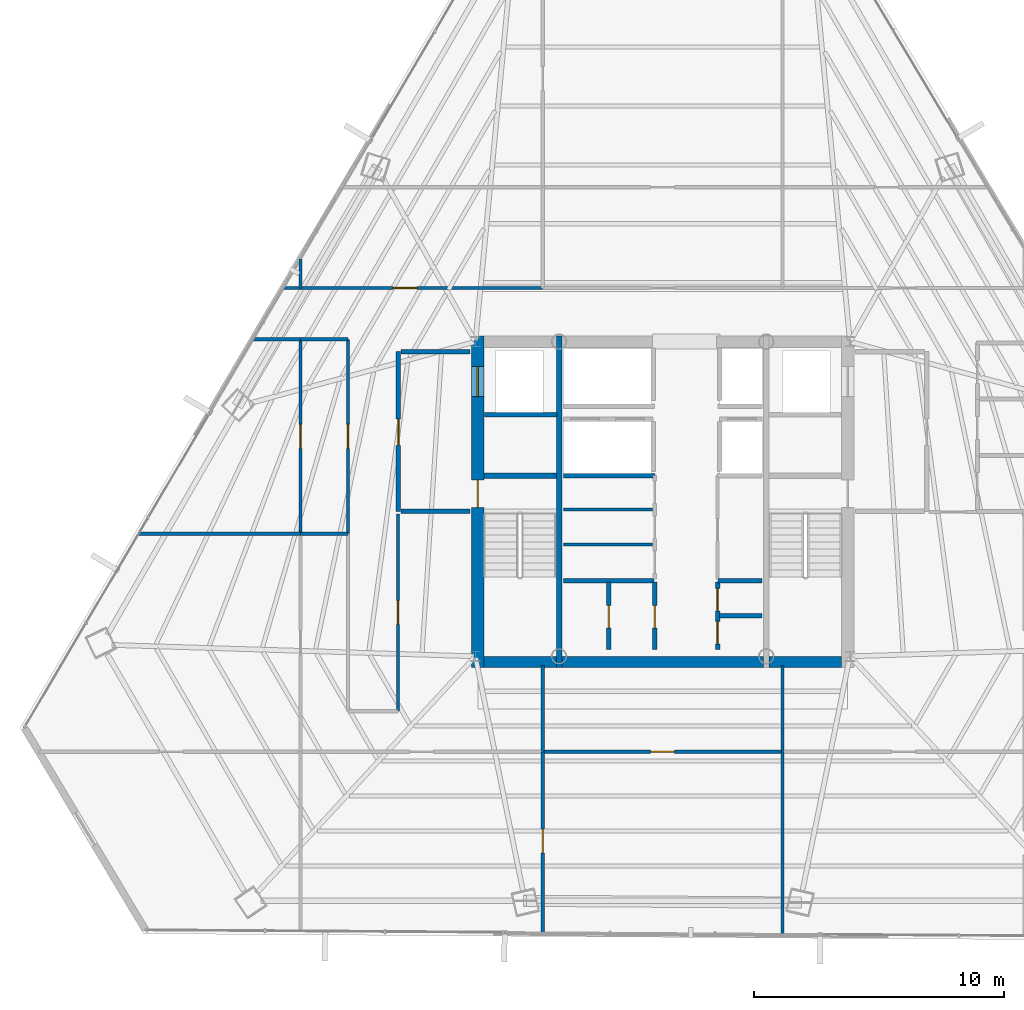
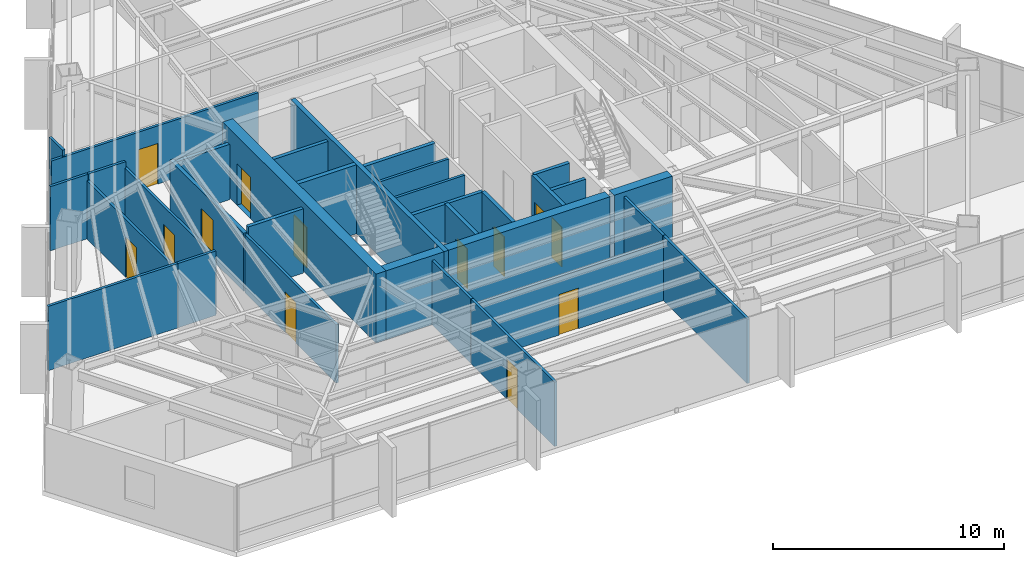
# One storey, part 35 of 41: 33 walls, 13 doors, 13 openings.
"""IFC4 building model written with IfcOpenShell, lengths in metres."""

from ifc_helpers import new_model, si_unit, direction, frame, frame_2d, origin, place, context, subcontext, project, spatial, rectangle, extrude, material, layer, layer_set, type_object, element, fill, save


model = new_model("IFC4")

# Units and contexts
model_context = context("Model", 3, precision=1e-05, world=origin(), true_north=direction((0.0, 1.0)))
body_context = subcontext(model_context, "Body", "Model", "MODEL_VIEW")
ifc_project = project(units=[si_unit("LENGTHUNIT", "METRE"), si_unit("AREAUNIT", "SQUARE_METRE"), si_unit("VOLUMEUNIT", "CUBIC_METRE"), si_unit("PLANEANGLEUNIT", "RADIAN"), si_unit("MASSUNIT", "GRAM", prefix="KILO")], contexts=[model_context])

# Site, building, storey
site_placement = place(None, origin())
site = spatial("IfcSite", under=ifc_project, at=site_placement, CompositionType="ELEMENT")
building_placement = place(site_placement, origin())
building = spatial("IfcBuilding", under=site, at=building_placement, Name="Caelisora Broadcast Tower", CompositionType="ELEMENT")
storey_placement = place(building_placement, frame((0.0, 0.0, 165.800048828125)))
storey = spatial("IfcBuildingStorey", under=building, at=storey_placement, Name="L43", CompositionType="ELEMENT", Elevation=165.800048828125)

# Wall, openings, doors
ifc_material_1 = material(Name="Concrete 50 MPa (AS 3600 S50)", Category="concrete")
ifc_layer_1 = layer(ifc_material_1, 0.5, Name="Concrete 50 MPa (AS 3600 S50)")
ifc_layer_set_1 = layer_set([ifc_layer_1], Name="Concrete 50 MPa (AS 3600 S50)")
wall_type_1 = type_object("IfcWallType", Name="CW2", PredefinedType="SHEAR", material=ifc_layer_set_1)
wall_1_placement = place(storey_placement, frame((30.590087890625, 16.949951171875, 0.0), z_axis=(0.0, 0.0, 1.0), x_axis=(0.0, 1.0, 0.0)))
wall_1 = element("IfcWall", 1, at=wall_1_placement, inside=storey, type_object=wall_type_1, Name="L43 core shear wall CW2", PredefinedType="SHEAR", context=body_context, shape_type="SweptSolid", body=[
    extrude(rectangle(XDim=13.275146484375, YDim=0.5, at=frame_2d((6.6376953125, 0.0))), origin(), (0.0, 0.0, 1.0), 3.64990234375),
])
opening_1_placement = place(wall_1_placement, frame((6.39990234375, 0.0, 0.0)))
opening_1 = element("IfcOpeningElement", 2, at=opening_1_placement, cuts=wall_1, Name="Opening FD04", PredefinedType="OPENING", context=body_context, shape_type="SweptSolid", body=[
    extrude(rectangle(XDim=1.1201171875, YDim=2.14990234375, at=frame_2d((0.56005859375, 1.074951171875))), frame((0.0, 0.261962890625, 0.0), z_axis=(0.0, -1.0, 0.0), x_axis=(1.0, 0.0, 0.0)), (0.0, 0.0, 1.0), 0.52392578125),
])
opening_2_placement = place(wall_1_placement, frame((10.85009765625, 0.0, 0.0)))
opening_2 = element("IfcOpeningElement", 3, at=opening_2_placement, cuts=wall_1, Name="Opening LD04", PredefinedType="OPENING", context=body_context, shape_type="SweptSolid", body=[
    extrude(rectangle(XDim=1.199951171875, YDim=2.199951171875, at=frame_2d((0.60009765625, 1.10009765625))), frame((0.0, 0.261962890625, 0.0), z_axis=(0.0, -1.0, 0.0), x_axis=(1.0, 0.0, 0.0)), (0.0, 0.0, 1.0), 0.52392578125),
])
ifc_material_2 = material(Name="Pressurised Fire-Isolated Stair Door", Category="steel")
door_type_1 = type_object("IfcDoorType", Name="FD04", OperationType="NOTDEFINED", PredefinedType="DOOR", material=ifc_material_2)
door_1_placement = place(opening_1_placement, origin())
door_1 = element("IfcDoor", 4, at=door_1_placement, inside=storey, type_object=door_type_1, Name="L43 door FD04 (L43-DR-ST1)", OperationType="SINGLE_SWING_LEFT", OverallHeight=2.14990234375, OverallWidth=1.1201171875, PredefinedType="DOOR", context=body_context, shape_type="SweptSolid", body=[
    extrude(rectangle(XDim=1.1201171875, YDim=2.14990234375, at=frame_2d((0.56005859375, 1.074951171875))), frame((0.0, 0.02490234375, 0.0), z_axis=(0.0, -1.0, 0.0), x_axis=(1.0, 0.0, 0.0)), (0.0, 0.0, 1.0), 0.050048828125),
])
fill(opening_1, door_1)
ifc_material_3 = material(Name="Emergency Firefighting Lift Sliding Landing Door", Category="steel")
door_type_2 = type_object("IfcDoorType", Name="LD04", OperationType="NOTDEFINED", PredefinedType="DOOR", material=ifc_material_3)
door_2_placement = place(opening_2_placement, origin())
door_2 = element("IfcDoor", 5, at=door_2_placement, inside=storey, type_object=door_type_2, Name="L43 door LD04 (L43-LD-FFL1)", OperationType="SLIDING_TO_LEFT", OverallHeight=2.199951171875, OverallWidth=1.199951171875, PredefinedType="DOOR", context=body_context, shape_type="SweptSolid", body=[
    extrude(rectangle(XDim=1.199951171875, YDim=2.199951171875, at=frame_2d((0.60009765625, 1.10009765625))), frame((0.0, 0.02490234375, 0.0), z_axis=(0.0, -1.0, 0.0), x_axis=(1.0, 0.0, 0.0)), (0.0, 0.0, 1.0), 0.050048828125),
])
fill(opening_2, door_2)

# Walls
ifc_layer_2 = layer(ifc_material_1, 0.449951171875, Name="Concrete 50 MPa (AS 3600 S50)")
ifc_layer_set_2 = layer_set([ifc_layer_2], Name="Concrete 50 MPa (AS 3600 S50)")
wall_type_2 = type_object("IfcWallType", Name="CW5", PredefinedType="SHEAR", material=ifc_layer_set_2)
wall_2_placement = place(storey_placement, frame((30.840087890625, 17.175048828125, 0.0), z_axis=(0.0, 0.0, 1.0), x_axis=(1.0, 0.0, 0.0)))
element("IfcWall", 6, at=wall_2_placement, inside=storey, type_object=wall_type_2, Name="L43 core shear wall CW5", PredefinedType="SHEAR", context=body_context, shape_type="SweptSolid", body=[
    extrude(rectangle(XDim=2.89990234375, YDim=0.449951171875, at=frame_2d((1.449951171875, 0.0))), origin(), (0.0, 0.0, 1.0), 3.64990234375),
])
wall_3_placement = place(storey_placement, frame((33.9599609375, 17.175048828125, 0.0), z_axis=(0.0, 0.0, 1.0), x_axis=(1.0, 0.0, 0.0)))
element("IfcWall", 7, at=wall_3_placement, inside=storey, type_object=wall_type_2, Name="L43 core shear wall CW5", PredefinedType="SHEAR", context=body_context, shape_type="SweptSolid", body=[
    extrude(rectangle(XDim=8.080078125, YDim=0.449951171875, at=frame_2d((4.0400390625, 0.0))), origin(), (0.0, 0.0, 1.0), 3.64990234375),
])
wall_4_placement = place(storey_placement, frame((42.260009765625, 17.175048828125, 0.0), z_axis=(0.0, 0.0, 1.0), x_axis=(1.0, 0.0, 0.0)))
element("IfcWall", 8, at=wall_4_placement, inside=storey, type_object=wall_type_2, Name="L43 core shear wall CW5", PredefinedType="SHEAR", context=body_context, shape_type="SweptSolid", body=[
    extrude(rectangle(XDim=2.89990234375, YDim=0.449951171875, at=frame_2d((1.449951171875, 0.0))), origin(), (0.0, 0.0, 1.0), 3.64990234375),
])
ifc_layer_3 = layer(ifc_material_1, 0.219970703125, Name="Concrete 50 MPa (AS 3600 S50)")
ifc_layer_set_3 = layer_set([ifc_layer_3], Name="Concrete 50 MPa (AS 3600 S50)")
wall_type_3 = type_object("IfcWallType", Name="CW7", PredefinedType="SHEAR", material=ifc_layer_set_3)
wall_5_placement = place(storey_placement, frame((33.85009765625, 16.949951171875, 0.0), z_axis=(0.0, 0.0, 1.0), x_axis=(0.0, 1.0, 0.0)))
element("IfcWall", 9, at=wall_5_placement, inside=storey, type_object=wall_type_3, Name="L43 core shear wall CW7", PredefinedType="SHEAR", context=body_context, shape_type="SweptSolid", body=[
    extrude(rectangle(XDim=13.275146484375, YDim=0.219970703125, at=frame_2d((6.6376953125, 0.0))), origin(), (0.0, 0.0, 1.0), 3.64990234375),
])
wall_6_placement = place(storey_placement, frame((30.840087890625, 24.639892578125, 0.0), z_axis=(0.0, 0.0, 1.0), x_axis=(1.0, 0.0, 0.0)))
element("IfcWall", 10, at=wall_6_placement, inside=storey, type_object=wall_type_3, Name="L43 core shear wall CW7", PredefinedType="SHEAR", context=body_context, shape_type="SweptSolid", body=[
    extrude(rectangle(XDim=2.89990234375, YDim=0.219970703125, at=frame_2d((1.449951171875, 0.0))), origin(), (0.0, 0.0, 1.0), 3.64990234375),
])
ifc_material_4 = material(Name="Fire-Rated Gypsum Shaft and Compartment Wall", Category="gypsum")
ifc_layer_4 = layer(ifc_material_4, 0.179931640625, Name="Fire-Rated Gypsum Shaft and Compartment Wall")
ifc_layer_set_4 = layer_set([ifc_layer_4], Name="Fire-Rated Gypsum Shaft and Compartment Wall")
wall_type_4 = type_object("IfcWallType", Name="PW2", PredefinedType="PARTITIONING", material=ifc_layer_set_4)
wall_7_placement = place(storey_placement, frame((34.02001953125, 24.639892578125, 0.0), z_axis=(0.0, 0.0, 1.0), x_axis=(1.0, 0.0, 0.0)))
element("IfcWall", 11, at=wall_7_placement, inside=storey, type_object=wall_type_4, Name="L43 fire compartment wall PW2", PredefinedType="PARTITIONING", context=body_context, shape_type="SweptSolid", body=[
    extrude(rectangle(XDim=3.679931640625, YDim=0.179931640625, at=frame_2d((1.83984375, 0.0))), origin(), (0.0, 0.0, 1.0), 3.39990234375),
])

# Wall, opening, door
wall_8_placement = place(storey_placement, frame((27.419921875, 23.199951171875, 0.0), z_axis=(0.0, 0.0, 1.0), x_axis=(0.0, 1.0, 0.0)))
wall_8 = element("IfcWall", 12, at=wall_8_placement, inside=storey, type_object=wall_type_4, Name="L43 fire compartment wall PW2", PredefinedType="PARTITIONING", context=body_context, shape_type="SweptSolid", body=[
    extrude(rectangle(XDim=6.400146484375, YDim=0.179931640625, at=frame_2d((3.2001953125, 0.0))), origin(), (0.0, 0.0, 1.0), 3.07763671875),
])
opening_3_placement = place(wall_8_placement, frame((2.64990234375, 0.0, 0.0)))
opening_3 = element("IfcOpeningElement", 13, at=opening_3_placement, cuts=wall_8, Name="Opening FD02", PredefinedType="OPENING", context=body_context, shape_type="SweptSolid", body=[
    extrude(rectangle(XDim=1.050048828125, YDim=2.14990234375, at=frame_2d((0.52490234375, 1.074951171875))), frame((0.0, 0.10205078125, 0.0), z_axis=(0.0, -1.0, 0.0), x_axis=(1.0, 0.0, 0.0)), (0.0, 0.0, 1.0), 0.203857421875),
])
ifc_material_5 = material(Name="Single-Leaf Steel Fire Lobby Door", Category="steel")
door_type_3 = type_object("IfcDoorType", Name="FD02", OperationType="NOTDEFINED", PredefinedType="DOOR", material=ifc_material_5)
door_3_placement = place(opening_3_placement, origin())
door_3 = element("IfcDoor", 14, at=door_3_placement, inside=storey, type_object=door_type_3, Name="L43 door FD02 (L43-DR-P01D1)", OperationType="SINGLE_SWING_LEFT", OverallHeight=2.14990234375, OverallWidth=1.050048828125, PredefinedType="DOOR", context=body_context, shape_type="SweptSolid", body=[
    extrude(rectangle(XDim=1.050048828125, YDim=2.14990234375, at=frame_2d((0.52490234375, 1.074951171875))), frame((0.0, 0.02490234375, 0.0), z_axis=(0.0, -1.0, 0.0), x_axis=(1.0, 0.0, 0.0)), (0.0, 0.0, 1.0), 0.050048828125),
])
fill(opening_3, door_3)

# Walls
wall_9_placement = place(storey_placement, frame((27.52001953125, 23.199951171875, 0.0), z_axis=(0.0, 0.0, 1.0), x_axis=(1.0, 0.0, 0.0)))
element("IfcWall", 15, at=wall_9_placement, inside=storey, type_object=wall_type_4, Name="L43 fire compartment wall PW2", PredefinedType="PARTITIONING", context=body_context, shape_type="SweptSolid", body=[
    extrude(rectangle(XDim=2.760009765625, YDim=0.179931640625, at=frame_2d((1.3798828125, 0.0))), origin(), (0.0, 0.0, 1.0), 3.39990234375),
])
wall_10_placement = place(storey_placement, frame((27.52001953125, 29.60009765625, 0.0), z_axis=(0.0, 0.0, 1.0), x_axis=(1.0, 0.0, 0.0)))
element("IfcWall", 16, at=wall_10_placement, inside=storey, type_object=wall_type_4, Name="L43 fire compartment wall PW2", PredefinedType="PARTITIONING", context=body_context, shape_type="SweptSolid", body=[
    extrude(rectangle(XDim=2.760009765625, YDim=0.179931640625, at=frame_2d((1.3798828125, 0.0))), origin(), (0.0, 0.0, 1.0), 2.924560546875),
])
wall_11_placement = place(storey_placement, frame((30.860107421875, 27.070068359375, 0.0), z_axis=(0.0, 0.0, 1.0), x_axis=(1.0, 0.0, 0.0)))
element("IfcWall", 17, at=wall_11_placement, inside=storey, type_object=wall_type_4, Name="L43 fire compartment wall PW2", PredefinedType="PARTITIONING", context=body_context, shape_type="SweptSolid", body=[
    extrude(rectangle(XDim=2.89990234375, YDim=0.179931640625, at=frame_2d((1.449951171875, 0.0))), origin(), (0.0, 0.0, 1.0), 3.39990234375),
])
wall_12_placement = place(storey_placement, frame((34.02001953125, 20.419921875, 0.0), z_axis=(0.0, 0.0, 1.0), x_axis=(1.0, 0.0, 0.0)))
element("IfcWall", 18, at=wall_12_placement, inside=storey, type_object=wall_type_4, Name="L43 fire compartment wall PW2", PredefinedType="PARTITIONING", context=body_context, shape_type="SweptSolid", body=[
    extrude(rectangle(XDim=3.639892578125, YDim=0.179931640625, at=frame_2d((1.81982421875, 0.0))), origin(), (0.0, 0.0, 1.0), 3.39990234375),
])
wall_13_placement = place(storey_placement, frame((40.219970703125, 20.419921875, 0.0), z_axis=(0.0, 0.0, 1.0), x_axis=(1.0, 0.0, 0.0)))
element("IfcWall", 19, at=wall_13_placement, inside=storey, type_object=wall_type_4, Name="L43 fire compartment wall PW2", PredefinedType="PARTITIONING", context=body_context, shape_type="SweptSolid", body=[
    extrude(rectangle(XDim=1.760009765625, YDim=0.179931640625, at=frame_2d((0.8798828125, 0.0))), origin(), (0.0, 0.0, 1.0), 3.39990234375),
])

# Wall, opening, door
wall_14_placement = place(storey_placement, frame((35.840087890625, 17.679931640625, 0.0), z_axis=(0.0, 0.0, 1.0), x_axis=(0.0, 1.0, 0.0)))
wall_14 = element("IfcWall", 20, at=wall_14_placement, inside=storey, type_object=wall_type_4, Name="L43 fire compartment wall PW2", PredefinedType="PARTITIONING", context=body_context, shape_type="SweptSolid", body=[
    extrude(rectangle(XDim=2.699951171875, YDim=0.179931640625, at=frame_2d((1.35009765625, 0.0))), origin(), (0.0, 0.0, 1.0), 3.39990234375),
])
opening_4_placement = place(wall_14_placement, frame((0.85009765625, 0.0, 0.0)))
opening_4 = element("IfcOpeningElement", 21, at=opening_4_placement, cuts=wall_14, Name="Opening FD03", PredefinedType="OPENING", context=body_context, shape_type="SweptSolid", body=[
    extrude(rectangle(XDim=0.89990234375, YDim=2.10009765625, at=frame_2d((0.449951171875, 1.050048828125))), frame((0.0, 0.10205078125, 0.0), z_axis=(0.0, -1.0, 0.0), x_axis=(1.0, 0.0, 0.0)), (0.0, 0.0, 1.0), 0.203857421875),
])
ifc_material_6 = material(Name="Single-Leaf Steel Riser Fire Access Door", Category="steel")
door_type_4 = type_object("IfcDoorType", Name="FD03", OperationType="NOTDEFINED", PredefinedType="DOOR", material=ifc_material_6)
door_4_placement = place(opening_4_placement, origin())
door_4 = element("IfcDoor", 22, at=door_4_placement, inside=storey, type_object=door_type_4, Name="L43 door FD03 (L43-DR-P15D1)", OperationType="SINGLE_SWING_LEFT", OverallHeight=2.10009765625, OverallWidth=0.89990234375, PredefinedType="DOOR", context=body_context, shape_type="SweptSolid", body=[
    extrude(rectangle(XDim=0.89990234375, YDim=2.10009765625, at=frame_2d((0.449951171875, 1.050048828125))), frame((0.0, 0.02490234375, 0.0), z_axis=(0.0, -1.0, 0.0), x_axis=(1.0, 0.0, 0.0)), (0.0, 0.0, 1.0), 0.050048828125),
])
fill(opening_4, door_4)

wall_15_placement = place(storey_placement, frame((37.679931640625, 17.679931640625, 0.0), z_axis=(0.0, 0.0, 1.0), x_axis=(0.0, 1.0, 0.0)))
wall_15 = element("IfcWall", 23, at=wall_15_placement, inside=storey, type_object=wall_type_4, Name="L43 fire compartment wall PW2", PredefinedType="PARTITIONING", context=body_context, shape_type="SweptSolid", body=[
    extrude(rectangle(XDim=2.699951171875, YDim=0.179931640625, at=frame_2d((1.35009765625, 0.0))), origin(), (0.0, 0.0, 1.0), 3.39990234375),
])
opening_5_placement = place(wall_15_placement, frame((0.85009765625, 0.0, 0.0)))
opening_5 = element("IfcOpeningElement", 24, at=opening_5_placement, cuts=wall_15, Name="Opening FD03", PredefinedType="OPENING", context=body_context, shape_type="SweptSolid", body=[
    extrude(rectangle(XDim=0.89990234375, YDim=2.10009765625, at=frame_2d((0.449951171875, 1.050048828125))), frame((0.0, 0.10205078125, 0.0), z_axis=(0.0, -1.0, 0.0), x_axis=(1.0, 0.0, 0.0)), (0.0, 0.0, 1.0), 0.203857421875),
])
door_5_placement = place(opening_5_placement, origin())
door_5 = element("IfcDoor", 25, at=door_5_placement, inside=storey, type_object=door_type_4, Name="L43 door FD03 (L43-DR-P16D1)", OperationType="SINGLE_SWING_RIGHT", OverallHeight=2.10009765625, OverallWidth=0.89990234375, PredefinedType="DOOR", context=body_context, shape_type="SweptSolid", body=[
    extrude(rectangle(XDim=0.89990234375, YDim=2.10009765625, at=frame_2d((0.449951171875, 1.050048828125))), frame((0.0, 0.02490234375, 0.0), z_axis=(0.0, -1.0, 0.0), x_axis=(1.0, 0.0, 0.0)), (0.0, 0.0, 1.0), 0.050048828125),
])
fill(opening_5, door_5)

# Wall
wall_16_placement = place(storey_placement, frame((40.280029296875, 19.02001953125, 0.0), z_axis=(0.0, 0.0, 1.0), x_axis=(1.0, 0.0, 0.0)))
element("IfcWall", 26, at=wall_16_placement, inside=storey, type_object=wall_type_4, Name="L43 fire compartment wall PW2", PredefinedType="PARTITIONING", context=body_context, shape_type="SweptSolid", body=[
    extrude(rectangle(XDim=1.699951171875, YDim=0.179931640625, at=frame_2d((0.85009765625, 0.0))), origin(), (0.0, 0.0, 1.0), 3.39990234375),
])

# Wall, openings, doors
wall_17_placement = place(storey_placement, frame((40.199951171875, 17.679931640625, 0.0), z_axis=(0.0, 0.0, 1.0), x_axis=(0.0, 1.0, 0.0)))
wall_17 = element("IfcWall", 27, at=wall_17_placement, inside=storey, type_object=wall_type_4, Name="L43 fire compartment wall PW2", PredefinedType="PARTITIONING", context=body_context, shape_type="SweptSolid", body=[
    extrude(rectangle(XDim=2.699951171875, YDim=0.179931640625, at=frame_2d((1.35009765625, 0.0))), origin(), (0.0, 0.0, 1.0), 3.39990234375),
])
opening_6_placement = place(wall_17_placement, frame((0.219970703125, 0.0, 0.0)))
opening_6 = element("IfcOpeningElement", 28, at=opening_6_placement, cuts=wall_17, Name="Opening FD03", PredefinedType="OPENING", context=body_context, shape_type="SweptSolid", body=[
    extrude(rectangle(XDim=0.89990234375, YDim=2.10009765625, at=frame_2d((0.449951171875, 1.050048828125))), frame((0.0, 0.10205078125, 0.0), z_axis=(0.0, -1.0, 0.0), x_axis=(1.0, 0.0, 0.0)), (0.0, 0.0, 1.0), 0.203857421875),
])
opening_7_placement = place(wall_17_placement, frame((1.5400390625, 0.0, 0.0)))
opening_7 = element("IfcOpeningElement", 29, at=opening_7_placement, cuts=wall_17, Name="Opening FD03", PredefinedType="OPENING", context=body_context, shape_type="SweptSolid", body=[
    extrude(rectangle(XDim=0.89990234375, YDim=2.10009765625, at=frame_2d((0.449951171875, 1.050048828125))), frame((0.0, 0.10205078125, 0.0), z_axis=(0.0, -1.0, 0.0), x_axis=(1.0, 0.0, 0.0)), (0.0, 0.0, 1.0), 0.203857421875),
])
door_6_placement = place(opening_6_placement, origin())
door_6 = element("IfcDoor", 30, at=door_6_placement, inside=storey, type_object=door_type_4, Name="L43 door FD03 (L43-DR-P18D1)", OperationType="SINGLE_SWING_LEFT", OverallHeight=2.10009765625, OverallWidth=0.89990234375, PredefinedType="DOOR", context=body_context, shape_type="SweptSolid", body=[
    extrude(rectangle(XDim=0.89990234375, YDim=2.10009765625, at=frame_2d((0.449951171875, 1.050048828125))), frame((0.0, 0.02490234375, 0.0), z_axis=(0.0, -1.0, 0.0), x_axis=(1.0, 0.0, 0.0)), (0.0, 0.0, 1.0), 0.050048828125),
])
fill(opening_6, door_6)
door_7_placement = place(opening_7_placement, origin())
door_7 = element("IfcDoor", 31, at=door_7_placement, inside=storey, type_object=door_type_4, Name="L43 door FD03 (L43-DR-P18D2)", OperationType="SINGLE_SWING_RIGHT", OverallHeight=2.10009765625, OverallWidth=0.89990234375, PredefinedType="DOOR", context=body_context, shape_type="SweptSolid", body=[
    extrude(rectangle(XDim=0.89990234375, YDim=2.10009765625, at=frame_2d((0.449951171875, 1.050048828125))), frame((0.0, 0.02490234375, 0.0), z_axis=(0.0, -1.0, 0.0), x_axis=(1.0, 0.0, 0.0)), (0.0, 0.0, 1.0), 0.050048828125),
])
fill(opening_7, door_7)

# Walls
ifc_material_7 = material(Name="Acoustic Steel-Stud Plasterboard Partition", Category="gypsum")
ifc_layer_5 = layer(ifc_material_7, 0.1298828125, Name="Acoustic Steel-Stud Plasterboard Partition")
ifc_layer_set_5 = layer_set([ifc_layer_5], Name="Acoustic Steel-Stud Plasterboard Partition")
wall_type_5 = type_object("IfcWallType", Name="PW3", PredefinedType="PARTITIONING", material=ifc_layer_set_5)
for number, where, z_axis, x_axis, name in (
    (32, (34.02001953125, 21.8798828125, 0.0), (0.0, 0.0, 1.0), (1.0, 0.0, 0.0), "L43 internal partition PW3"),
    (33, (34.02001953125, 23.280029296875, 0.0), (0.0, 0.0, 1.0), (1.0, 0.0, 0.0), "L43 internal partition PW3"),
):
    element("IfcWall", number, at=place(storey_placement, frame(where, z_axis=z_axis, x_axis=x_axis)), inside=storey, type_object=wall_type_5, Name=name, PredefinedType="PARTITIONING", context=body_context, shape_type="SweptSolid", body=[
        extrude(rectangle(XDim=3.580078125, YDim=0.1298828125, at=frame_2d((1.7900390625, 0.0))), origin(), (0.0, 0.0, 1.0), 3.39990234375),
    ])

# Wall, opening, door
wall_18_placement = place(storey_placement, frame((22.841796875, 32.14990234375, 0.0), z_axis=(0.0, 0.0, 1.0), x_axis=(1.0, 0.0, 0.0)))
wall_18 = element("IfcWall", 34, at=wall_18_placement, inside=storey, type_object=wall_type_5, Name="L43 internal partition PW3", PredefinedType="PARTITIONING", context=body_context, shape_type="SweptSolid", body=[
    extrude(rectangle(XDim=10.353271484375, YDim=0.1298828125, at=frame_2d((5.1767578125, 0.0))), origin(), (0.0, 0.0, 1.0), 3.07763671875),
])
opening_8_placement = place(wall_18_placement, frame((4.364990234375, 0.0, 0.0)))
opening_8 = element("IfcOpeningElement", 35, at=opening_8_placement, cuts=wall_18, Name="Opening D01", PredefinedType="OPENING", context=body_context, shape_type="SweptSolid", body=[
    extrude(rectangle(XDim=0.9599609375, YDim=2.14990234375, at=frame_2d((0.47998046875, 1.074951171875))), frame((0.0, 0.076904296875, 0.0), z_axis=(0.0, -1.0, 0.0), x_axis=(1.0, 0.0, 0.0)), (0.0, 0.0, 1.0), 0.15380859375),
])
ifc_material_8 = material(Name="Solid-Core Timber Acoustic Office Door", Category="wood")
door_type_5 = type_object("IfcDoorType", Name="D01", OperationType="NOTDEFINED", PredefinedType="DOOR", material=ifc_material_8)
door_8_placement = place(opening_8_placement, origin())
door_8 = element("IfcDoor", 36, at=door_8_placement, inside=storey, type_object=door_type_5, Name="L43 door D01 (L43-DR-P34D1)", OperationType="SINGLE_SWING_LEFT", OverallHeight=2.14990234375, OverallWidth=0.9599609375, PredefinedType="DOOR", context=body_context, shape_type="SweptSolid", body=[
    extrude(rectangle(XDim=0.9599609375, YDim=2.14990234375, at=frame_2d((0.47998046875, 1.074951171875))), frame((0.0, 0.02490234375, 0.0), z_axis=(0.0, -1.0, 0.0), x_axis=(1.0, 0.0, 0.0)), (0.0, 0.0, 1.0), 0.050048828125),
])
fill(opening_8, door_8)

wall_19_placement = place(storey_placement, frame((33.205078125, 13.580078125, 0.0), z_axis=(0.0, 0.0, 1.0), x_axis=(1.0, 0.0, 0.0)))
wall_19 = element("IfcWall", 37, at=wall_19_placement, inside=storey, type_object=wall_type_5, Name="L43 internal partition PW3", PredefinedType="PARTITIONING", context=body_context, shape_type="SweptSolid", body=[
    extrude(rectangle(XDim=9.58984375, YDim=0.1298828125, at=frame_2d((4.794921875, 0.0))), origin(), (0.0, 0.0, 1.0), 3.07763671875),
])
opening_9_placement = place(wall_19_placement, frame((4.31494140625, 0.0, 0.0)))
opening_9 = element("IfcOpeningElement", 38, at=opening_9_placement, cuts=wall_19, Name="Opening D01", PredefinedType="OPENING", context=body_context, shape_type="SweptSolid", body=[
    extrude(rectangle(XDim=0.9599609375, YDim=2.14990234375, at=frame_2d((0.47998046875, 1.074951171875))), frame((0.0, 0.076904296875, 0.0), z_axis=(0.0, -1.0, 0.0), x_axis=(1.0, 0.0, 0.0)), (0.0, 0.0, 1.0), 0.15380859375),
])
door_9_placement = place(opening_9_placement, origin())
door_9 = element("IfcDoor", 39, at=door_9_placement, inside=storey, type_object=door_type_5, Name="L43 door D01 (L43-DR-P39D1)", OperationType="SINGLE_SWING_RIGHT", OverallHeight=2.14990234375, OverallWidth=0.9599609375, PredefinedType="DOOR", context=body_context, shape_type="SweptSolid", body=[
    extrude(rectangle(XDim=0.9599609375, YDim=2.14990234375, at=frame_2d((0.47998046875, 1.074951171875))), frame((0.0, 0.02490234375, 0.0), z_axis=(0.0, -1.0, 0.0), x_axis=(1.0, 0.0, 0.0)), (0.0, 0.0, 1.0), 0.050048828125),
])
fill(opening_9, door_9)

wall_20_placement = place(storey_placement, frame((27.39990234375, 15.205078125, 0.0), z_axis=(0.0, 0.0, 1.0), x_axis=(0.0, 1.0, 0.0)))
wall_20 = element("IfcWall", 40, at=wall_20_placement, inside=storey, type_object=wall_type_5, Name="L43 internal partition PW3", PredefinedType="PARTITIONING", context=body_context, shape_type="SweptSolid", body=[
    extrude(rectangle(XDim=7.89990234375, YDim=0.1298828125, at=frame_2d((3.949951171875, 0.0))), origin(), (0.0, 0.0, 1.0), 3.07763671875),
])
opening_10_placement = place(wall_20_placement, frame((3.469970703125, 0.0, 0.0)))
opening_10 = element("IfcOpeningElement", 41, at=opening_10_placement, cuts=wall_20, Name="Opening D01", PredefinedType="OPENING", context=body_context, shape_type="SweptSolid", body=[
    extrude(rectangle(XDim=0.9599609375, YDim=2.14990234375, at=frame_2d((0.47998046875, 1.074951171875))), frame((0.0, 0.076904296875, 0.0), z_axis=(0.0, -1.0, 0.0), x_axis=(1.0, 0.0, 0.0)), (0.0, 0.0, 1.0), 0.15380859375),
])
door_10_placement = place(opening_10_placement, origin())
door_10 = element("IfcDoor", 42, at=door_10_placement, inside=storey, type_object=door_type_5, Name="L43 door D01 (L43-DR-P49D1)", OperationType="SINGLE_SWING_LEFT", OverallHeight=2.14990234375, OverallWidth=0.9599609375, PredefinedType="DOOR", context=body_context, shape_type="SweptSolid", body=[
    extrude(rectangle(XDim=0.9599609375, YDim=2.14990234375, at=frame_2d((0.47998046875, 1.074951171875))), frame((0.0, 0.02490234375, 0.0), z_axis=(0.0, -1.0, 0.0), x_axis=(1.0, 0.0, 0.0)), (0.0, 0.0, 1.0), 0.050048828125),
])
fill(opening_10, door_10)

wall_21_placement = place(storey_placement, frame((25.39990234375, 30.094970703125, 0.0), z_axis=(0.0, 0.0, 1.0), x_axis=(0.0, -1.0, 0.0)))
wall_21 = element("IfcWall", 43, at=wall_21_placement, inside=storey, type_object=wall_type_5, Name="L43 internal partition PW3", PredefinedType="PARTITIONING", context=body_context, shape_type="SweptSolid", body=[
    extrude(rectangle(XDim=7.780029296875, YDim=0.1298828125, at=frame_2d((3.89013671875, 0.0))), origin(), (0.0, 0.0, 1.0), 3.07763671875),
])
opening_11_placement = place(wall_21_placement, frame((3.409912109375, 0.0, 0.0)))
opening_11 = element("IfcOpeningElement", 44, at=opening_11_placement, cuts=wall_21, Name="Opening D01", PredefinedType="OPENING", context=body_context, shape_type="SweptSolid", body=[
    extrude(rectangle(XDim=0.9599609375, YDim=2.14990234375, at=frame_2d((0.47998046875, 1.074951171875))), frame((0.0, 0.076904296875, 0.0), z_axis=(0.0, -1.0, 0.0), x_axis=(1.0, 0.0, 0.0)), (0.0, 0.0, 1.0), 0.15380859375),
])
door_11_placement = place(opening_11_placement, origin())
door_11 = element("IfcDoor", 45, at=door_11_placement, inside=storey, type_object=door_type_5, Name="L43 door D01 (L43-DR-P50D1)", OperationType="SINGLE_SWING_RIGHT", OverallHeight=2.14990234375, OverallWidth=0.9599609375, PredefinedType="DOOR", context=body_context, shape_type="SweptSolid", body=[
    extrude(rectangle(XDim=0.9599609375, YDim=2.14990234375, at=frame_2d((0.47998046875, 1.074951171875))), frame((0.0, 0.02490234375, 0.0), z_axis=(0.0, -1.0, 0.0), x_axis=(1.0, 0.0, 0.0)), (0.0, 0.0, 1.0), 0.050048828125),
])
fill(opening_11, door_11)

wall_22_placement = place(storey_placement, frame((23.5, 22.31494140625, 0.0), z_axis=(0.0, 0.0, 1.0), x_axis=(0.0, 1.0, 0.0)))
wall_22 = element("IfcWall", 46, at=wall_22_placement, inside=storey, type_object=wall_type_5, Name="L43 internal partition PW3", PredefinedType="PARTITIONING", context=body_context, shape_type="SweptSolid", body=[
    extrude(rectangle(XDim=7.780029296875, YDim=0.1298828125, at=frame_2d((3.89013671875, 0.0))), origin(), (0.0, 0.0, 1.0), 3.07763671875),
])
opening_12_placement = place(wall_22_placement, frame((3.409912109375, 0.0, 0.0)))
opening_12 = element("IfcOpeningElement", 47, at=opening_12_placement, cuts=wall_22, Name="Opening D01", PredefinedType="OPENING", context=body_context, shape_type="SweptSolid", body=[
    extrude(rectangle(XDim=0.9599609375, YDim=2.14990234375, at=frame_2d((0.47998046875, 1.074951171875))), frame((0.0, 0.076904296875, 0.0), z_axis=(0.0, -1.0, 0.0), x_axis=(1.0, 0.0, 0.0)), (0.0, 0.0, 1.0), 0.15380859375),
])
door_12_placement = place(opening_12_placement, origin())
door_12 = element("IfcDoor", 48, at=door_12_placement, inside=storey, type_object=door_type_5, Name="L43 door D01 (L43-DR-P51D1)", OperationType="SINGLE_SWING_LEFT", OverallHeight=2.14990234375, OverallWidth=0.9599609375, PredefinedType="DOOR", context=body_context, shape_type="SweptSolid", body=[
    extrude(rectangle(XDim=0.9599609375, YDim=2.14990234375, at=frame_2d((0.47998046875, 1.074951171875))), frame((0.0, 0.02490234375, 0.0), z_axis=(0.0, -1.0, 0.0), x_axis=(1.0, 0.0, 0.0)), (0.0, 0.0, 1.0), 0.050048828125),
])
fill(opening_12, door_12)

# Wall
wall_23_placement = place(storey_placement, frame((42.800048828125, 6.265380859375, 0.0), z_axis=(0.0, 0.0, 1.0), x_axis=(0.0, 1.0, 0.0)))
element("IfcWall", 49, at=wall_23_placement, inside=storey, type_object=wall_type_5, Name="L43 internal partition PW3", PredefinedType="PARTITIONING", context=body_context, shape_type="SweptSolid", body=[
    extrude(rectangle(XDim=7.3095703125, YDim=0.1298828125, at=frame_2d((3.65478515625, 0.0))), origin(), (0.0, 0.0, 1.0), 3.39990234375),
])

# Wall, opening, door
wall_24_placement = place(storey_placement, frame((33.199951171875, 6.32861328125, 0.0), z_axis=(0.0, 0.0, 1.0), x_axis=(0.0, 1.0, 0.0)))
wall_24 = element("IfcWall", 50, at=wall_24_placement, inside=storey, type_object=wall_type_5, Name="L43 internal partition PW3", PredefinedType="PARTITIONING", context=body_context, shape_type="SweptSolid", body=[
    extrude(rectangle(XDim=7.246337890625, YDim=0.1298828125, at=frame_2d((3.623046875, 0.0))), origin(), (0.0, 0.0, 1.0), 3.39990234375),
])
opening_13_placement = place(wall_24_placement, frame((3.19189453125, 0.0, 0.0)))
opening_13 = element("IfcOpeningElement", 51, at=opening_13_placement, cuts=wall_24, Name="Opening D01", PredefinedType="OPENING", context=body_context, shape_type="SweptSolid", body=[
    extrude(rectangle(XDim=0.9599609375, YDim=2.14990234375, at=frame_2d((0.47998046875, 1.074951171875))), frame((0.0, 0.076904296875, 0.0), z_axis=(0.0, -1.0, 0.0), x_axis=(1.0, 0.0, 0.0)), (0.0, 0.0, 1.0), 0.15380859375),
])
door_13_placement = place(opening_13_placement, origin())
door_13 = element("IfcDoor", 52, at=door_13_placement, inside=storey, type_object=door_type_5, Name="L43 door D01 (L43-DR-P54D1)", OperationType="SINGLE_SWING_LEFT", OverallHeight=2.14990234375, OverallWidth=0.9599609375, PredefinedType="DOOR", context=body_context, shape_type="SweptSolid", body=[
    extrude(rectangle(XDim=0.9599609375, YDim=2.14990234375, at=frame_2d((0.47998046875, 1.074951171875))), frame((0.0, 0.02490234375, 0.0), z_axis=(0.0, -1.0, 0.0), x_axis=(1.0, 0.0, 0.0)), (0.0, 0.0, 1.0), 0.050048828125),
])
fill(opening_13, door_13)

# Walls
wall_25_placement = place(storey_placement, frame((17.01318359375, 22.31005859375, 0.0), z_axis=(0.0, 0.0, 1.0), x_axis=(1.0, 0.0, 0.0)))
element("IfcWall", 53, at=wall_25_placement, inside=storey, type_object=wall_type_5, Name="L43 internal partition PW3", PredefinedType="PARTITIONING", context=body_context, shape_type="SweptSolid", body=[
    extrude(rectangle(XDim=6.48193359375, YDim=0.1298828125, at=frame_2d((3.240966796875, 0.0))), origin(), (0.0, 0.0, 1.0), 3.39990234375),
])
for number, where, z_axis, x_axis, name in (
    (54, (33.199951171875, 13.5849609375, 0.0), (0.0, 0.0, 1.0), (0.0, 1.0, 0.0), "L43 internal partition PW3"),
    (55, (42.800048828125, 13.5849609375, 0.0), (0.0, 0.0, 1.0), (0.0, 1.0, 0.0), "L43 internal partition PW3"),
):
    element("IfcWall", number, at=place(storey_placement, frame(where, z_axis=z_axis, x_axis=x_axis)), inside=storey, type_object=wall_type_5, Name=name, PredefinedType="PARTITIONING", context=body_context, shape_type="SweptSolid", body=[
        extrude(rectangle(XDim=3.43994140625, YDim=0.1298828125, at=frame_2d((1.719970703125, 0.0))), origin(), (0.0, 0.0, 1.0), 3.39990234375),
    ])
wall_26_placement = place(storey_placement, frame((21.607177734375, 30.10009765625, 0.0), z_axis=(0.0, 0.0, 1.0), x_axis=(1.0, 0.0, 0.0)))
element("IfcWall", 56, at=wall_26_placement, inside=storey, type_object=wall_type_5, Name="L43 internal partition PW3", PredefinedType="PARTITIONING", context=body_context, shape_type="SweptSolid", body=[
    extrude(rectangle(XDim=1.887939453125, YDim=0.1298828125, at=frame_2d((0.94384765625, 0.0))), origin(), (0.0, 0.0, 1.0), 3.39990234375),
])
for number, where, z_axis, x_axis, name in (
    (57, (23.5048828125, 30.10009765625, 0.0), (0.0, 0.0, 1.0), (1.0, 0.0, 0.0), "L43 internal partition PW3"),
    (58, (23.5048828125, 22.31005859375, 0.0), (0.0, 0.0, 1.0), (1.0, 0.0, 0.0), "L43 internal partition PW3"),
):
    element("IfcWall", number, at=place(storey_placement, frame(where, z_axis=z_axis, x_axis=x_axis)), inside=storey, type_object=wall_type_5, Name=name, PredefinedType="PARTITIONING", context=body_context, shape_type="SweptSolid", body=[
        extrude(rectangle(XDim=1.89013671875, YDim=0.1298828125, at=frame_2d((0.945068359375, 0.0))), origin(), (0.0, 0.0, 1.0), 3.39990234375),
    ])
wall_27_placement = place(storey_placement, frame((23.5, 32.155029296875, 0.0), z_axis=(0.0, 0.0, 1.0), x_axis=(0.0, 1.0, 0.0)))
element("IfcWall", 59, at=wall_27_placement, inside=storey, type_object=wall_type_5, Name="L43 internal partition PW3", PredefinedType="PARTITIONING", context=body_context, shape_type="SweptSolid", body=[
    extrude(rectangle(XDim=1.15478515625, YDim=0.1298828125, at=frame_2d((0.577392578125, 0.0))), origin(), (0.0, 0.0, 1.0), 3.39990234375),
])

save(model, "model.ifc")
